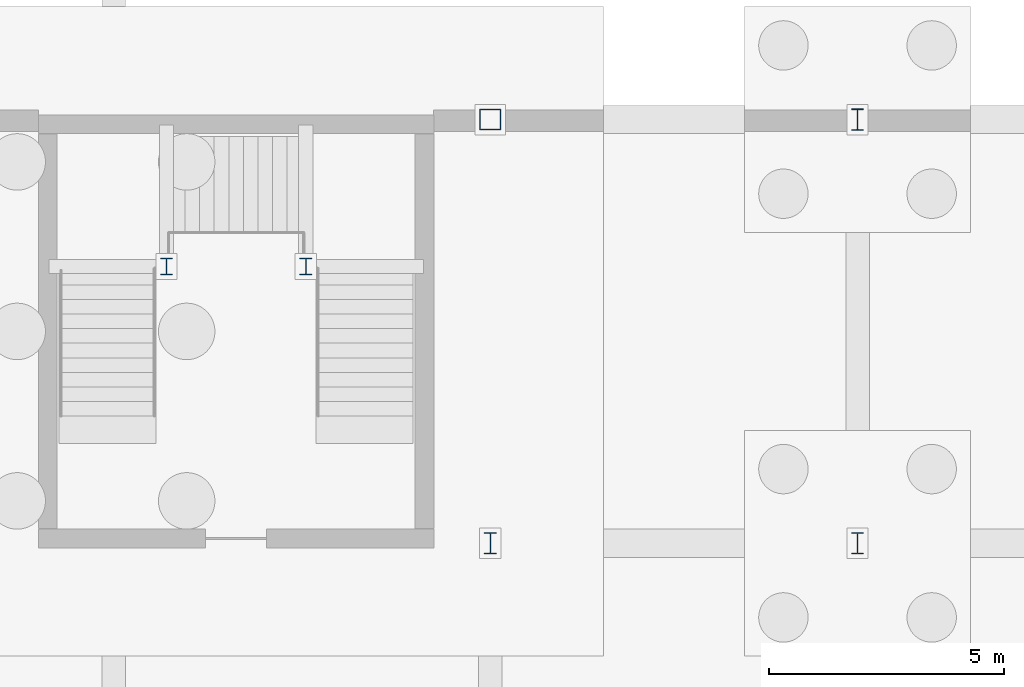
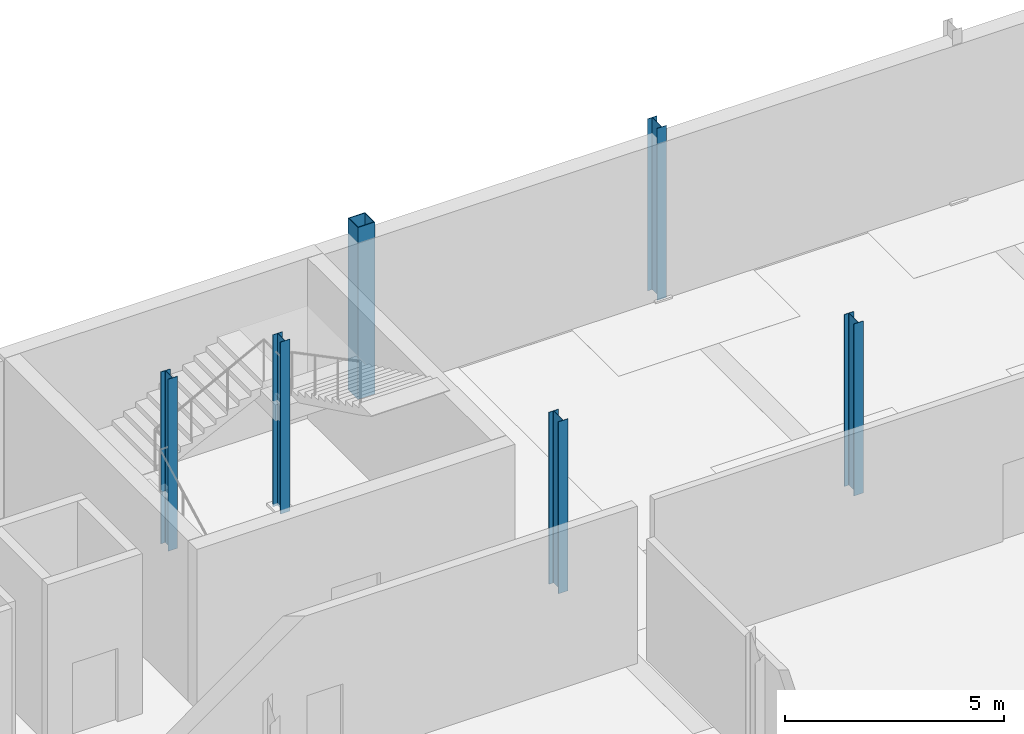
# One storey, part 17 of 32: 6 columns.
"""IFC4 building model written with IfcOpenShell, lengths in metres."""

from ifc_helpers import new_model, si_unit, derived_unit, direction, frame, origin, origin_2d, place, context, subcontext, project, spatial, hollow_rectangle, i_section, extrude, material, material_profile, profile_set, type_object, element, save


model = new_model("IFC4")

# Units and contexts
model_context = context("Model", 3, precision=1e-05, world=origin(), true_north=direction((0.0, 1.0)))
body_context = subcontext(model_context, "Body", "Model", "MODEL_VIEW")
ifc_project = project(units=[si_unit("LENGTHUNIT", "METRE"), si_unit("AREAUNIT", "SQUARE_METRE"), si_unit("VOLUMEUNIT", "CUBIC_METRE"), si_unit("PLANEANGLEUNIT", "RADIAN"), si_unit("MASSUNIT", "GRAM", prefix="KILO"), derived_unit("THERMALTRANSMITTANCEUNIT", [(si_unit("POWERUNIT", "WATT"), 1), (si_unit("LENGTHUNIT", "METRE"), -2), (si_unit("THERMODYNAMICTEMPERATUREUNIT", "KELVIN"), -1)])], contexts=[model_context])

# Site, building, storey
site_placement = place(None, origin())
site = spatial("IfcSite", under=ifc_project, at=site_placement, CompositionType="ELEMENT")
building_placement = place(site_placement, origin())
building = spatial("IfcBuilding", under=site, at=building_placement, Name="Nallur Shell Playhouse", CompositionType="ELEMENT")
storey_placement = place(building_placement, frame((0.0, 0.0, -4.800048828125)))
storey = spatial("IfcBuildingStorey", under=building, at=storey_placement, Name="B1", CompositionType="ELEMENT", Elevation=-4.800048828125)

# Columns
ifc_material = material(Name="Steel E350", Category="steel")
ifc_material_profile_1 = material_profile(ifc_material, hollow_rectangle(XDim=0.449951171875, YDim=0.449951171875, WallThickness=0.02001953125, at=origin_2d()), Name="BOX 450x450x20")
ifc_profile_set_1 = profile_set([ifc_material_profile_1], Name="Steel E350")
column_type_1 = type_object("IfcColumnType", Name="CL-ST-BOX450", PredefinedType="COLUMN", material=ifc_profile_set_1)
column_placement = place(storey_placement, frame((64.0, 83.0, 0.0), z_axis=(0.0, 0.0, 1.0), x_axis=(1.0, 0.0, 0.0)))
element("IfcColumn", 1, at=column_placement, inside=storey, type_object=column_type_1, Name="Column 8-K (B1)", PredefinedType="COLUMN", context=body_context, shape_type="SweptSolid", body=[
    extrude(hollow_rectangle(XDim=0.449951171875, YDim=0.449951171875, WallThickness=0.02001953125, at=origin_2d()), origin(), (0.0, 0.0, 1.0), 4.800048828125),
])
ifc_material_profile_2 = material_profile(ifc_material, i_section(OverallWidth=0.25, OverallDepth=0.35009765625, WebThickness=0.010009765625, FlangeThickness=0.01171875, FilletRadius=0.011962890625, at=origin_2d()), Name="ISHB 350")
ifc_profile_set_2 = profile_set([ifc_material_profile_2], Name="Steel E350")
column_type_2 = type_object("IfcColumnType", Name="CL-ST-ISHB350", PredefinedType="COLUMN", material=ifc_profile_set_2)
for number, where, z_axis, x_axis, name in (
    (2, (57.1201171875, 79.8798828125, 0.0), (0.0, 0.0, 1.0), (1.0, 0.0, 0.0), "Column STW-JC-3-W (B1)"),
    (3, (60.080078125, 79.8798828125, 0.0), (0.0, 0.0, 1.0), (1.0, 0.0, 0.0), "Column STW-JC-3-E (B1)"),
):
    element("IfcColumn", number, at=place(storey_placement, frame(where, z_axis=z_axis, x_axis=x_axis)), inside=storey, type_object=column_type_2, Name=name, PredefinedType="COLUMN", context=body_context, shape_type="SweptSolid", body=[
        extrude(i_section(OverallWidth=0.25, OverallDepth=0.35009765625, WebThickness=0.010009765625, FlangeThickness=0.01171875, FilletRadius=0.011962890625, at=origin_2d()), origin(), (0.0, 0.0, 1.0), 4.800048828125),
    ])
ifc_material_profile_3 = material_profile(ifc_material, i_section(OverallWidth=0.25, OverallDepth=0.449951171875, WebThickness=0.01123046875, FlangeThickness=0.013671875, FilletRadius=0.014892578125, at=origin_2d()), Name="ISHB 450")
ifc_profile_set_3 = profile_set([ifc_material_profile_3], Name="Steel E350")
column_type_3 = type_object("IfcColumnType", Name="CL-ST-ISHB450", PredefinedType="COLUMN", material=ifc_profile_set_3)
for number, where, z_axis, x_axis, name in (
    (4, (64.0, 74.0, 0.0), (0.0, 0.0, 1.0), (1.0, 0.0, 0.0), "Column 8-J (B1)"),
    (5, (71.800048828125, 74.0, 0.0), (0.0, 0.0, 1.0), (1.0, 0.0, 0.0), "Column 9-J (B1)"),
    (6, (71.800048828125, 83.0, 0.0), (0.0, 0.0, 1.0), (1.0, 0.0, 0.0), "Column 9-K (B1)"),
):
    element("IfcColumn", number, at=place(storey_placement, frame(where, z_axis=z_axis, x_axis=x_axis)), inside=storey, type_object=column_type_3, Name=name, PredefinedType="COLUMN", context=body_context, shape_type="SweptSolid", body=[
        extrude(i_section(OverallWidth=0.25, OverallDepth=0.449951171875, WebThickness=0.01123046875, FlangeThickness=0.013671875, FilletRadius=0.014892578125, at=origin_2d()), origin(), (0.0, 0.0, 1.0), 4.800048828125),
    ])

save(model, "model.ifc")
